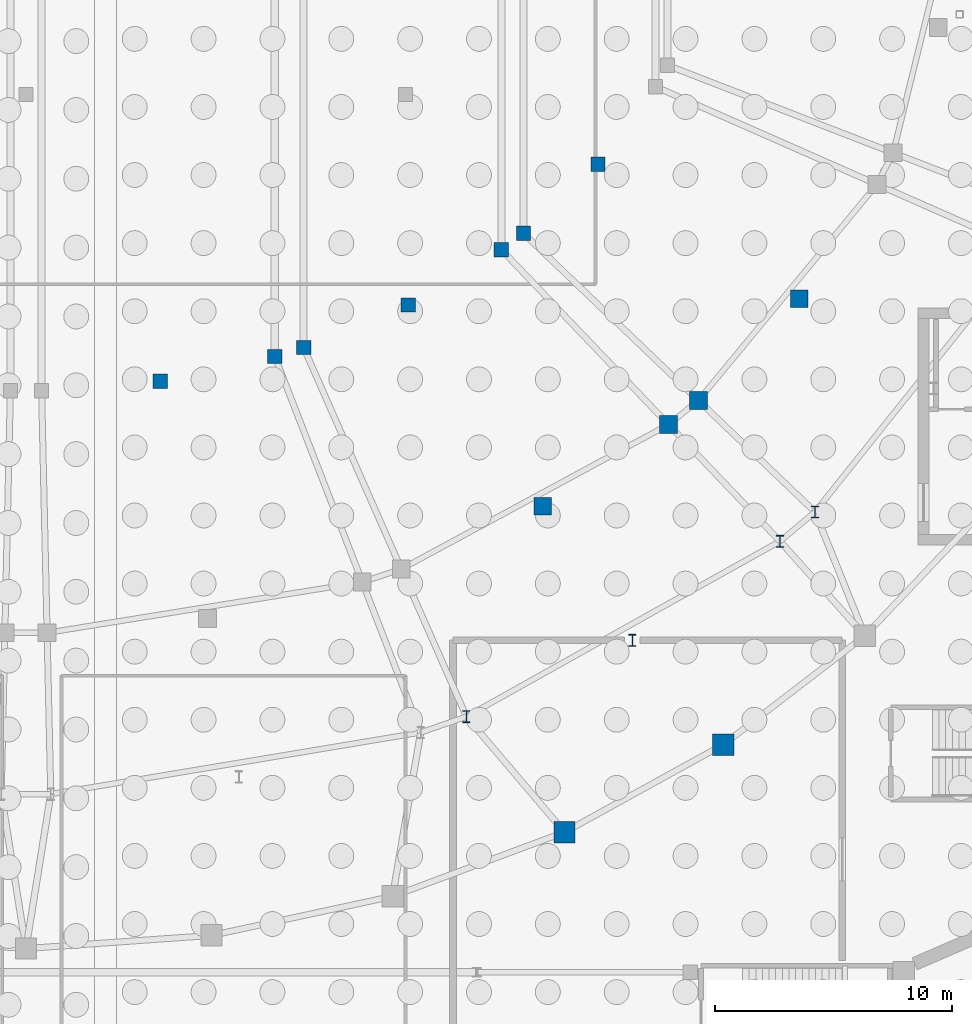
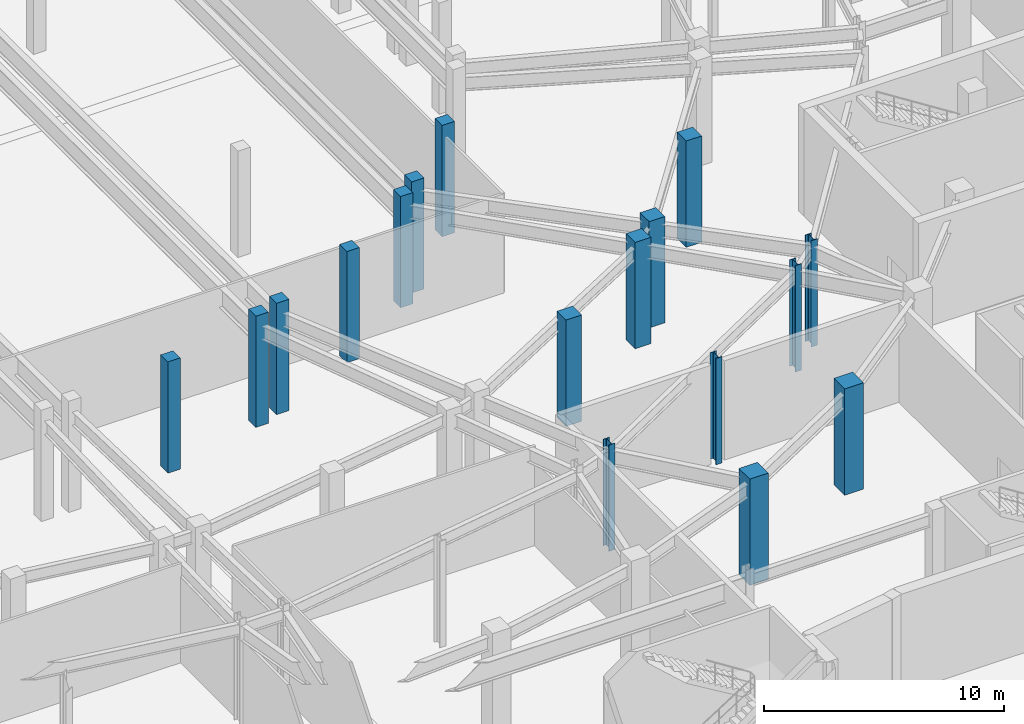
# One storey, part 16 of 56: 17 columns.
"""IFC4 building model written with IfcOpenShell, lengths in metres."""

from ifc_helpers import new_model, si_unit, direction, frame, origin, origin_2d, place, context, subcontext, project, spatial, rectangle, i_section, extrude, material, material_profile, profile_set, type_object, element, save


model = new_model("IFC4")

# Units and contexts
model_context = context("Model", 3, precision=1e-05, world=origin(), true_north=direction((0.0, 1.0)))
body_context = subcontext(model_context, "Body", "Model", "MODEL_VIEW")
ifc_project = project(units=[si_unit("LENGTHUNIT", "METRE"), si_unit("AREAUNIT", "SQUARE_METRE"), si_unit("VOLUMEUNIT", "CUBIC_METRE"), si_unit("PLANEANGLEUNIT", "RADIAN"), si_unit("MASSUNIT", "GRAM", prefix="KILO")], contexts=[model_context])

# Site, building, storey
site_placement = place(None, origin())
site = spatial("IfcSite", under=ifc_project, at=site_placement, CompositionType="ELEMENT")
building_placement = place(site_placement, origin())
building = spatial("IfcBuilding", under=site, at=building_placement, Name="Glasvene Arena", CompositionType="ELEMENT")
storey_placement = place(building_placement, frame((0.0, 0.0, -5.39990234375)))
storey = spatial("IfcBuildingStorey", under=building, at=storey_placement, Name="B1", CompositionType="ELEMENT", Elevation=-5.39990234375)

# Columns
ifc_material_1 = material(Name="Concrete C40/50", Category="concrete")
ifc_material_profile_1 = material_profile(ifc_material_1, rectangle(XDim=0.89990234375, YDim=0.89990234375, at=origin_2d()), Name="RC 900x900")
ifc_profile_set_1 = profile_set([ifc_material_profile_1], Name="Concrete C40/50")
column_type_1 = type_object("IfcColumnType", Name="COL-BOWL-RC900", PredefinedType="COLUMN", material=ifc_profile_set_1)
for number, where, z_axis, x_axis, name in (
    (1, (114.699462890625, 32.90478515625, 0.0), (0.0, 0.0, 1.0), (1.0, 0.0, 0.0), "Bowl ring column R34 B1"),
    (2, (121.389404296875, 36.59423828125, 0.0), (0.0, 0.0, 1.0), (1.0, 0.0, 0.0), "Bowl ring column R35 B1"),
):
    element("IfcColumn", number, at=place(storey_placement, frame(where, z_axis=z_axis, x_axis=x_axis)), inside=storey, type_object=column_type_1, Name=name, PredefinedType="COLUMN", context=body_context, shape_type="SweptSolid", body=[
        extrude(rectangle(XDim=0.89990234375, YDim=0.89990234375, at=origin_2d()), origin(), (0.0, 0.0, 1.0), 5.39990234375),
    ])
ifc_material_profile_2 = material_profile(ifc_material_1, rectangle(XDim=0.60009765625, YDim=0.60009765625, at=origin_2d()), Name="RC 600x600")
ifc_profile_set_2 = profile_set([ifc_material_profile_2], Name="Concrete C40/50")
column_type_2 = type_object("IfcColumnType", Name="COL-IN-RC600", PredefinedType="COLUMN", material=ifc_profile_set_2)
for number, where, z_axis, x_axis, name in (
    (3, (102.487060546875, 52.955078125, 0.0), (0.0, 0.0, 1.0), (1.0, 0.0, 0.0), "Inner pitch raker column B1 13-2"),
    (4, (103.702880859375, 53.328369140625, 0.0), (0.0, 0.0, 1.0), (1.0, 0.0, 0.0), "Inner pitch raker column B1 14-1"),
    (5, (112.03564453125, 57.456298828125, 0.0), (0.0, 0.0, 1.0), (1.0, 0.0, 0.0), "Inner pitch raker column B1 14-2"),
    (6, (112.966064453125, 58.14599609375, 0.0), (0.0, 0.0, 1.0), (1.0, 0.0, 0.0), "Inner pitch raker column B1 15-1"),
    (7, (97.65771484375, 51.9130859375, 0.0), (0.0, 0.0, 1.0), (1.0, 0.0, 0.0), "Mid-sector pitch raker column 13"),
    (8, (108.111572265625, 55.123291015625, 0.0), (0.0, 0.0, 1.0), (1.0, 0.0, 0.0), "Mid-sector pitch raker column 14"),
    (9, (116.112548828125, 61.05517578125, 0.0), (0.0, 0.0, 1.0), (1.0, 0.0, 0.0), "Mid-sector pitch raker column 15"),
):
    element("IfcColumn", number, at=place(storey_placement, frame(where, z_axis=z_axis, x_axis=x_axis)), inside=storey, type_object=column_type_2, Name=name, PredefinedType="COLUMN", context=body_context, shape_type="SweptSolid", body=[
        extrude(rectangle(XDim=0.60009765625, YDim=0.60009765625, at=origin_2d()), origin(), (0.0, 0.0, 1.0), 5.64990234375),
    ])
ifc_material_profile_3 = material_profile(ifc_material_1, rectangle(XDim=0.75, YDim=0.75, at=origin_2d()), Name="RC 750x750")
ifc_profile_set_3 = profile_set([ifc_material_profile_3], Name="Concrete C40/50")
column_type_3 = type_object("IfcColumnType", Name="COL-MID-RC750", PredefinedType="COLUMN", material=ifc_profile_set_3)
for number, where, z_axis, x_axis, name in (
    (10, (119.08251953125, 50.081787109375, 0.0), (0.0, 0.0, 1.0), (1.0, 0.0, 0.0), "Mid-bowl fulcrum column B1 14-2"),
    (11, (120.34033203125, 51.09912109375, 0.0), (0.0, 0.0, 1.0), (1.0, 0.0, 0.0), "Mid-bowl fulcrum column B1 15-1"),
    (12, (113.7783203125, 46.642333984375, 0.0), (0.0, 0.0, 1.0), (1.0, 0.0, 0.0), "Mid-sector fulcrum column B1 14"),
    (13, (124.593505859375, 55.388427734375, 0.0), (0.0, 0.0, 1.0), (1.0, 0.0, 0.0), "Mid-sector fulcrum column B1 15"),
):
    element("IfcColumn", number, at=place(storey_placement, frame(where, z_axis=z_axis, x_axis=x_axis)), inside=storey, type_object=column_type_3, Name=name, PredefinedType="COLUMN", context=body_context, shape_type="SweptSolid", body=[
        extrude(rectangle(XDim=0.75, YDim=0.75, at=origin_2d()), origin(), (0.0, 0.0, 1.0), 5.39990234375),
    ])
ifc_material_2 = material(Name="Steel S355J2", Category="steel")
ifc_material_profile_4 = material_profile(ifc_material_2, i_section(OverallWidth=0.300048828125, OverallDepth=0.5, WebThickness=0.014404296875, FlangeThickness=0.028076171875, FilletRadius=0.027099609375, at=origin_2d()), Name="HEB 500")
ifc_profile_set_4 = profile_set([ifc_material_profile_4], Name="Steel S355J2")
column_type_4 = type_object("IfcColumnType", Name="COL-W-HEB500", PredefinedType="COLUMN", material=ifc_profile_set_4)
for number, where, z_axis, x_axis, name in (
    (14, (110.56298828125, 37.774169921875, 0.0), (0.0, 0.0, 1.0), (1.0, 0.0, 0.0), "Upper raker rear column B1 14-1"),
    (15, (123.780517578125, 45.165771484375, 0.0), (0.0, 0.0, 1.0), (1.0, 0.0, 0.0), "Upper raker rear column B1 14-2"),
    (16, (125.256591796875, 46.40087890625, 0.0), (0.0, 0.0, 1.0), (1.0, 0.0, 0.0), "Upper raker rear column B1 15-1"),
    (17, (117.55615234375, 40.98828125, 0.0), (0.0, 0.0, 1.0), (1.0, 0.0, 0.0), "Mid-sector rear raker column B1 14"),
):
    element("IfcColumn", number, at=place(storey_placement, frame(where, z_axis=z_axis, x_axis=x_axis)), inside=storey, type_object=column_type_4, Name=name, PredefinedType="COLUMN", context=body_context, shape_type="SweptSolid", body=[
        extrude(i_section(OverallWidth=0.300048828125, OverallDepth=0.5, WebThickness=0.014404296875, FlangeThickness=0.028076171875, FilletRadius=0.027099609375, at=origin_2d()), origin(), (0.0, 0.0, 1.0), 5.39990234375),
    ])

save(model, "model.ifc")
